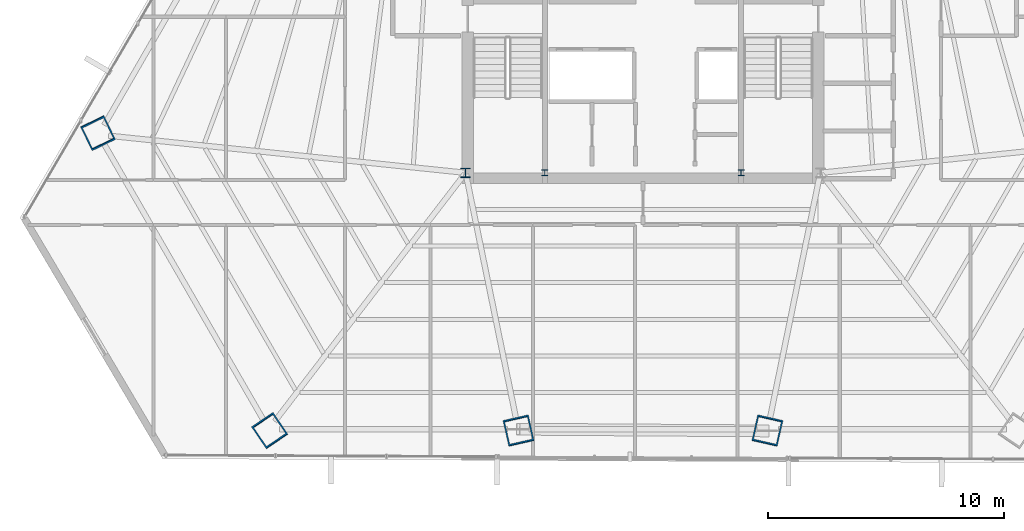
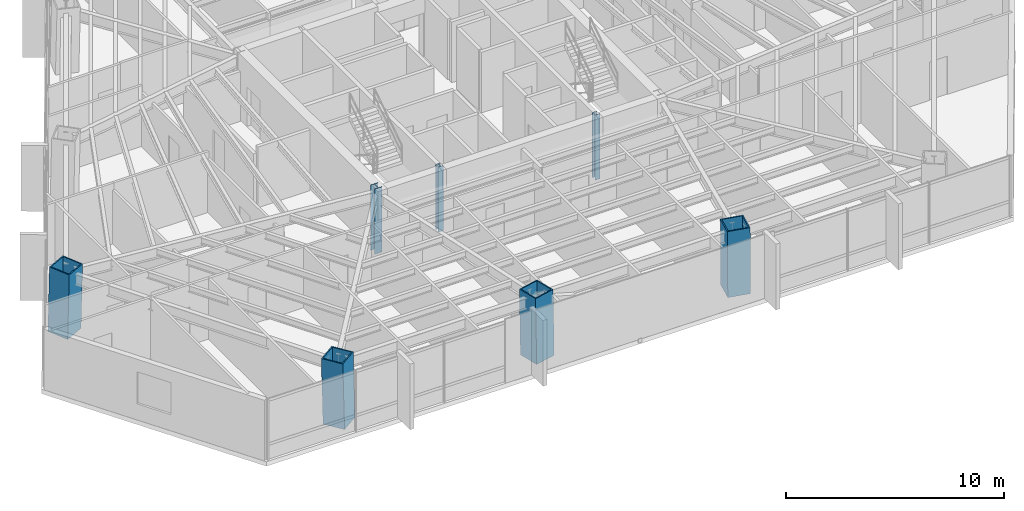
# One storey, part 1 of 36: 7 columns.
"""IFC4 building model written with IfcOpenShell, lengths in metres."""

from ifc_helpers import new_model, si_unit, direction, frame, origin, origin_2d, place, context, subcontext, project, spatial, hollow_rectangle, i_section, extrude, source, transform, mapped, material, material_profile, profile_set, type_object, type_shapes, element, save


model = new_model("IFC4")

# Units and contexts
model_context = context("Model", 3, precision=1e-05, world=origin(), true_north=direction((0.0, 1.0)))
body_context = subcontext(model_context, "Body", "Model", "MODEL_VIEW")
ifc_project = project(units=[si_unit("LENGTHUNIT", "METRE"), si_unit("AREAUNIT", "SQUARE_METRE"), si_unit("VOLUMEUNIT", "CUBIC_METRE"), si_unit("PLANEANGLEUNIT", "RADIAN"), si_unit("MASSUNIT", "GRAM", prefix="KILO")], contexts=[model_context])

# Site, building, storey
site_placement = place(None, origin())
site = spatial("IfcSite", under=ifc_project, at=site_placement, CompositionType="ELEMENT")
building_placement = place(site_placement, origin())
building = spatial("IfcBuilding", under=site, at=building_placement, Name="Caelisora Broadcast Tower", CompositionType="ELEMENT")
storey_placement = place(building_placement, frame((0.0, 0.0, 112.699951171875)))
storey = spatial("IfcBuildingStorey", under=building, at=storey_placement, Name="L29", CompositionType="ELEMENT", Elevation=112.699951171875)

# Columns
ifc_material_1 = material(Name="Steel Grade 350 (AS/NZS 3679.1)", Category="steel")
ifc_material_profile_1 = material_profile(ifc_material_1, i_section(OverallWidth=0.256103515625, OverallDepth=0.260009765625, WebThickness=0.010498046875, FlangeThickness=0.017333984375, at=origin_2d()), Name="Steel Grade 350 (AS/NZS 3679.1)")
ifc_profile_set_1 = profile_set([ifc_material_profile_1], Name="Steel Grade 350 (AS/NZS 3679.1)")
column_type_1 = type_object("IfcColumnType", Name="CC05", PredefinedType="COLUMN", material=ifc_profile_set_1)
shared_shape_1 = source(origin(), body_context, "Body", "SweptSolid", [
    extrude(i_section(OverallWidth=0.256103515625, OverallDepth=0.260009765625, WebThickness=0.010498046875, FlangeThickness=0.017333984375, at=origin_2d()), origin(), (0.0, 0.0, 1.0), 3.650146484375),
])
type_shapes(column_type_1, [shared_shape_1])
for number, where, z_axis, x_axis, name in (
    (1, (33.85009765625, 17.39990234375, 0.0), (0.0, 0.0, 1.0), (1.0, 0.0, 0.0), "L29 column CC05"),
    (2, (42.14990234375, 17.39990234375, 0.0), (0.0, 0.0, 1.0), (1.0, 0.0, 0.0), "L29 column CC05"),
):
    element("IfcColumn", number, at=place(storey_placement, frame(where, z_axis=z_axis, x_axis=x_axis)), inside=storey, type_object=column_type_1, Name=name, PredefinedType="COLUMN", context=body_context, shape_type="MappedRepresentation", body=[
        mapped(shared_shape_1, transform((0.0, 0.0, 0.0), scale=1.0)),
    ])
ifc_material_2 = material(Name="Steel Grade 350 L15 (AS/NZS 3678)", Category="steel")
ifc_material_profile_2 = material_profile(ifc_material_2, hollow_rectangle(XDim=1.10009765625, YDim=1.10009765625, WallThickness=0.06005859375, at=origin_2d()), Name="Steel Grade 350 L15 (AS/NZS 3678)")
ifc_profile_set_2 = profile_set([ifc_material_profile_2], Name="Steel Grade 350 L15 (AS/NZS 3678)")
column_type_2 = type_object("IfcColumnType", Name="MC03", PredefinedType="COLUMN", material=ifc_profile_set_2)
shared_shape_2 = source(origin(), body_context, "Body", "SweptSolid", [
    extrude(hollow_rectangle(XDim=1.10009765625, YDim=1.10009765625, WallThickness=0.06005859375, at=origin_2d()), origin(), (0.0, 0.0, 1.0), 3.65087890625),
])
for number, where, z_axis, x_axis, name in (
    (3, (32.740478515625, 6.485595703125, 0.0), (-0.004480382638, 0.019793929266, 0.999794042058), (-0.975326687046, -0.220766513622, 0.0), "L29 column MC03"),
    (4, (43.259521484375, 6.485595703125, 0.0), (0.004480382638, 0.019793929266, 0.999794042058), (-0.975326687046, 0.220766513622, 0.0), "L29 column MC03"),
):
    element("IfcColumn", number, at=place(storey_placement, frame(where, z_axis=z_axis, x_axis=x_axis)), inside=storey, type_object=column_type_2, Name=name, PredefinedType="COLUMN", context=body_context, shape_type="MappedRepresentation", body=[
        mapped(shared_shape_2, transform((0.0, 0.0, 0.0), scale=1.0)),
    ])
ifc_material_3 = material(Name="Steel Grade 350 (AS/NZS 3679.2)", Category="steel")
ifc_material_profile_3 = material_profile(ifc_material_3, i_section(OverallWidth=0.39990234375, OverallDepth=0.39990234375, WebThickness=0.02001953125, FlangeThickness=0.031982421875, at=origin_2d()), Name="Steel Grade 350 (AS/NZS 3679.2)")
ifc_profile_set_3 = profile_set([ifc_material_profile_3], Name="Steel Grade 350 (AS/NZS 3679.2)")
column_type_3 = type_object("IfcColumnType", Name="CC02", PredefinedType="COLUMN", material=ifc_profile_set_3)
shared_shape_3 = source(origin(), body_context, "Body", "SweptSolid", [
    extrude(i_section(OverallWidth=0.39990234375, OverallDepth=0.39990234375, WebThickness=0.02001953125, FlangeThickness=0.031982421875, at=origin_2d()), origin(), (0.0, 0.0, 1.0), 3.650146484375),
])
type_shapes(column_type_3, [shared_shape_3])
column_placement = place(storey_placement, frame((30.5, 17.39990234375, 0.0), z_axis=(0.0, 0.0, 1.0), x_axis=(1.0, 0.0, 0.0)))
element("IfcColumn", 5, at=column_placement, inside=storey, type_object=column_type_3, Name="L29 column CC02", PredefinedType="COLUMN", context=body_context, shape_type="MappedRepresentation", body=[
    mapped(shared_shape_3, transform((0.0, 0.0, 0.0), scale=1.0)),
])
shared_shape_4 = source(origin(), body_context, "Body", "SweptSolid", [
    extrude(hollow_rectangle(XDim=1.10009765625, YDim=1.10009765625, WallThickness=0.06005859375, at=origin_2d()), origin(), (0.0, 0.0, 1.0), 3.651123046875),
])
type_shapes(column_type_2, [shared_shape_2, shared_shape_4])
for number, where, z_axis, x_axis, name in (
    (6, (14.94287109375, 19.092529296875, 0.0), (0.010431098089, -0.021530856313, 0.999713766245), (0.899947055326, 0.435999194506, 0.0), "L29 column MC03"),
    (7, (22.221435546875, 6.485595703125, 0.0), (-0.013440068782, 0.019792340097, 0.999713772949), (-0.827290216258, -0.561774775229, 0.0), "L29 column MC03"),
):
    element("IfcColumn", number, at=place(storey_placement, frame(where, z_axis=z_axis, x_axis=x_axis)), inside=storey, type_object=column_type_2, Name=name, PredefinedType="COLUMN", context=body_context, shape_type="MappedRepresentation", body=[
        mapped(shared_shape_4, transform((0.0, 0.0, 0.0), scale=1.0)),
    ])

save(model, "model.ifc")
